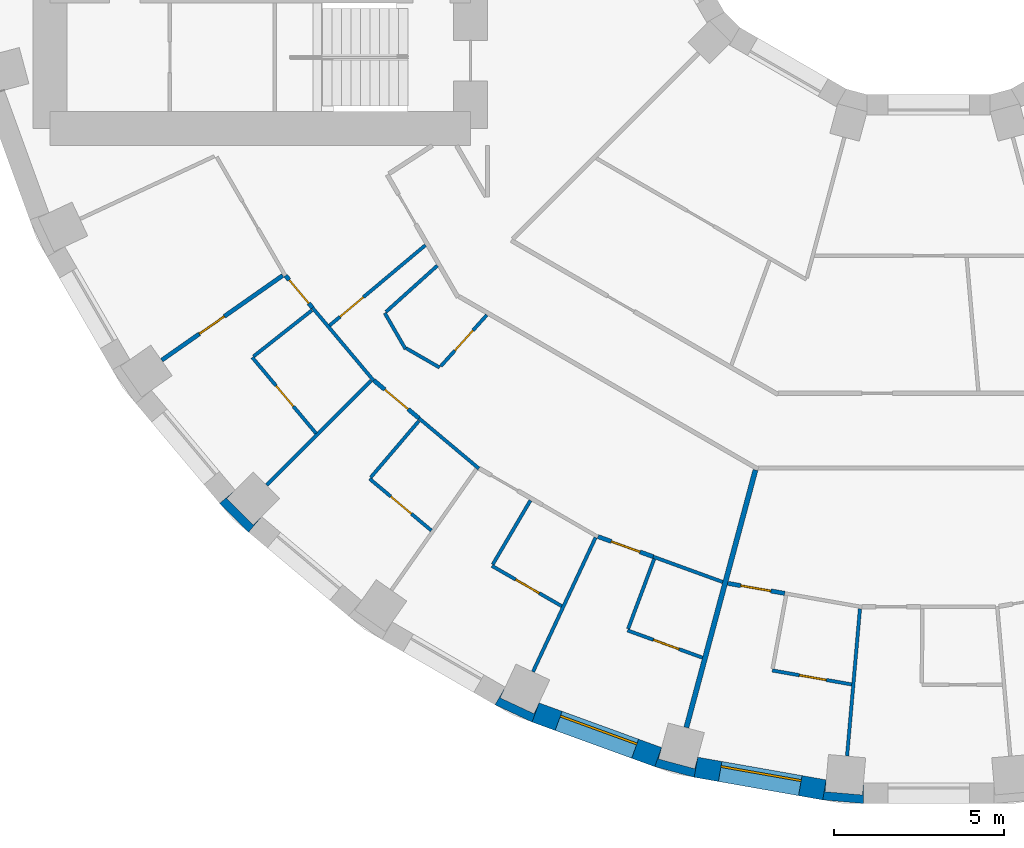
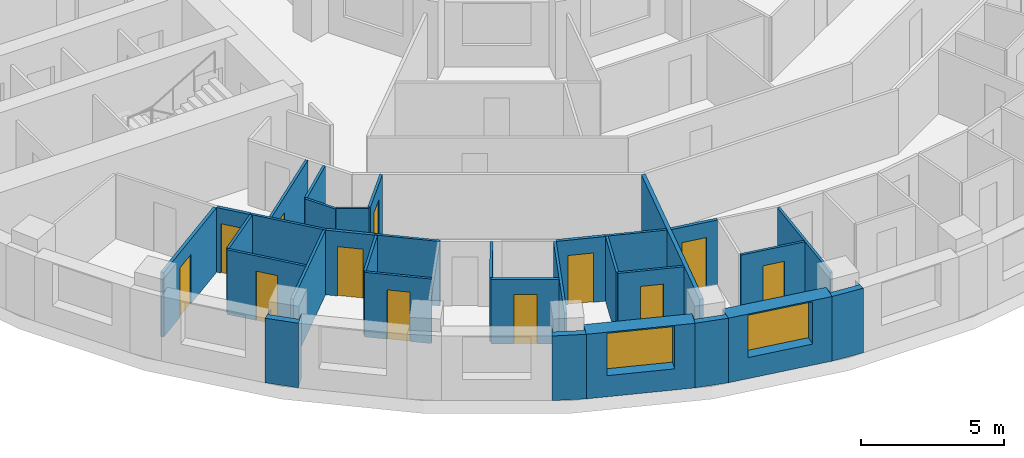
# One storey, part 2 of 14: 32 walls, 12 doors, 2 windows, 14 openings.
"""IFC4 building model written with IfcOpenShell, lengths in metres."""

from ifc_helpers import new_model, si_unit, direction, frame, frame_2d, origin, place, context, subcontext, project, spatial, polyline, rectangle, outline, extrude, material, layer, layer_set, type_object, element, fill, save


model = new_model("IFC4")

# Units and contexts
model_context = context("Model", 3, precision=1e-05, world=origin(), true_north=direction((0.0, 1.0)))
body_context = subcontext(model_context, "Body", "Model", "MODEL_VIEW")
ifc_project = project(units=[si_unit("LENGTHUNIT", "METRE"), si_unit("AREAUNIT", "SQUARE_METRE"), si_unit("VOLUMEUNIT", "CUBIC_METRE"), si_unit("PLANEANGLEUNIT", "RADIAN"), si_unit("MASSUNIT", "GRAM", prefix="KILO")], contexts=[model_context])

# Site, building, storey
site_placement = place(None, origin())
site = spatial("IfcSite", under=ifc_project, at=site_placement, CompositionType="ELEMENT")
building_placement = place(site_placement, origin())
building = spatial("IfcBuilding", under=site, at=building_placement, Name="Saqina Gate Tower", CompositionType="ELEMENT")
storey_placement = place(building_placement, frame((0.0, 0.0, 52.699951171875)))
storey = spatial("IfcBuildingStorey", under=building, at=storey_placement, Name="L14", CompositionType="ELEMENT", Elevation=52.699951171875)

# Walls
ifc_material_1 = material(Name="Brick masonry (red)", Category="masonry")
wall_type_1 = type_object("IfcWallType", Name="BRICK PIER COPING RED", PredefinedType="SOLIDWALL", material=ifc_material_1)
wall_1_placement = place(storey_placement, origin())
element("IfcWall", 1, at=wall_1_placement, inside=storey, type_object=wall_type_1, Name="Pier cap L14 column 23", PredefinedType="SOLIDWALL", context=body_context, shape_type="SweptSolid", body=[
    extrude(outline(polyline([(-20.04296875, -20.894775390625), (-19.6572265625, -20.43505859375), (-19.905029296875, -20.682861328125), (-20.682861328125, -19.905029296875), (-20.43505859375, -19.6572265625), (-20.894775390625, -20.04296875), (-20.04296875, -20.894775390625)])), origin(), (0.0, 0.0, 1.0), 2.75),
])
wall_2_placement = place(storey_placement, origin())
element("IfcWall", 2, at=wall_2_placement, inside=storey, type_object=wall_type_1, Name="Pier cap L14 column 25", PredefinedType="SOLIDWALL", context=body_context, shape_type="SweptSolid", body=[
    extrude(outline(polyline([(-11.687744140625, -26.48974609375), (-11.482666015625, -25.92578125), (-11.630615234375, -26.243408203125), (-12.627685546875, -25.778564453125), (-12.4794921875, -25.4609375), (-12.779541015625, -25.980712890625), (-11.687744140625, -26.48974609375)])), origin(), (0.0, 0.0, 1.0), 2.75),
])
wall_3_placement = place(storey_placement, origin())
element("IfcWall", 3, at=wall_3_placement, inside=storey, type_object=wall_type_1, Name="Pier cap L14 column 26", PredefinedType="SOLIDWALL", context=body_context, shape_type="SweptSolid", body=[
    extrude(outline(polyline([(-6.910400390625, -28.11669921875), (-6.80615234375, -27.52587890625), (-6.896728515625, -27.864501953125), (-7.95947265625, -27.57958984375), (-7.86865234375, -27.2412109375), (-8.073974609375, -27.80517578125), (-6.910400390625, -28.11669921875)])), origin(), (0.0, 0.0, 1.0), 2.75),
])
wall_4_placement = place(storey_placement, origin())
element("IfcWall", 4, at=wall_4_placement, inside=storey, type_object=wall_type_1, Name="Pier cap L14 column 27", PredefinedType="SOLIDWALL", context=body_context, shape_type="SweptSolid", body=[
    extrude(outline(polyline([(-3.122802734375, -28.78466796875), (-1.9228515625, -28.8896484375), (-1.9228515625, -28.28955078125), (-1.95361328125, -28.638671875), (-3.04931640625, -28.54296875), (-3.018798828125, -28.19384765625), (-3.122802734375, -28.78466796875)])), origin(), (0.0, 0.0, 1.0), 2.75),
])

# Wall, opening, window
ifc_material_2 = material(Name="Brick masonry (red)", Category="masonry")
ifc_layer_1 = layer(ifc_material_2, 0.60009765625)
ifc_layer_set_1 = layer_set([ifc_layer_1], Name="FW-BRICK-RED")
wall_type_2 = type_object("IfcWallType", Name="FW-BRICK-RED", PredefinedType="SOLIDWALL", material=ifc_layer_set_1)
wall_5_placement = place(storey_placement, frame((-11.585205078125, -26.207763671875, 0.0), z_axis=(0.0, 0.0, 1.0), x_axis=(0.939689588564, -0.342028474173, 0.0)))
wall_5 = element("IfcWall", 5, at=wall_5_placement, inside=storey, type_object=wall_type_2, Name="Facade wall L14 facet 25", PredefinedType="SOLIDWALL", context=body_context, shape_type="SweptSolid", body=[
    extrude(rectangle(XDim=3.845947265625, YDim=0.60009765625, at=frame_2d((1.9228515625, 0.0))), origin(), (0.0, 0.0, 1.0), 2.75),
])
opening_1_placement = place(wall_5_placement, frame((0.722900390625, 0.0, 0.89990234375)))
opening_1 = element("IfcOpeningElement", 6, at=opening_1_placement, cuts=wall_5, Name="Opening G03-W18", PredefinedType="OPENING", context=body_context, shape_type="SweptSolid", body=[
    extrude(rectangle(XDim=2.39990234375, YDim=1.800048828125, at=frame_2d((1.199951171875, 0.89990234375))), frame((0.0, 0.31201171875, 0.0), z_axis=(0.0, -1.0, 0.0), x_axis=(1.0, 0.0, 0.0)), (0.0, 0.0, 1.0), 0.6240234375),
])
ifc_material_3 = material(Name="Aluminium glazing", Category="aluminium")
window_type = type_object("IfcWindowType", Name="WN-A", PartitioningType="SINGLE_PANEL", PredefinedType="WINDOW", material=ifc_material_3)
window_1_placement = place(opening_1_placement, origin())
window_1 = element("IfcWindow", 7, at=window_1_placement, inside=storey, type_object=window_type, Name="Window L14 facet 25", OverallHeight=1.800048828125, OverallWidth=2.39990234375, PartitioningType="SINGLE_PANEL", PredefinedType="WINDOW", context=body_context, shape_type="SweptSolid", body=[
    extrude(rectangle(XDim=2.39990234375, YDim=1.800048828125, at=frame_2d((1.199951171875, 0.89990234375))), frame((0.0, 0.179931640625, 0.0), z_axis=(0.0, -1.0, 0.0), x_axis=(1.0, 0.0, 0.0)), (0.0, 0.0, 1.0), 0.06005859375),
])
fill(opening_1, window_1)

wall_6_placement = place(storey_placement, frame((-6.858154296875, -27.8212890625, 0.0), z_axis=(0.0, 0.0, 1.0), x_axis=(0.984800809218, -0.173687553279, 0.0)))
wall_6 = element("IfcWall", 8, at=wall_6_placement, inside=storey, type_object=wall_type_2, Name="Facade wall L14 facet 26", PredefinedType="SOLIDWALL", context=body_context, shape_type="SweptSolid", body=[
    extrude(rectangle(XDim=3.845703125, YDim=0.60009765625, at=frame_2d((1.9228515625, 0.0))), origin(), (0.0, 0.0, 1.0), 2.75),
])
opening_2_placement = place(wall_6_placement, frame((0.722900390625, 0.0, 0.89990234375)))
opening_2 = element("IfcOpeningElement", 9, at=opening_2_placement, cuts=wall_6, Name="Opening G03-W19", PredefinedType="OPENING", context=body_context, shape_type="SweptSolid", body=[
    extrude(rectangle(XDim=2.39990234375, YDim=1.800048828125, at=frame_2d((1.199951171875, 0.89990234375))), frame((0.0, 0.31201171875, 0.0), z_axis=(0.0, -1.0, 0.0), x_axis=(1.0, 0.0, 0.0)), (0.0, 0.0, 1.0), 0.6240234375),
])
window_2_placement = place(opening_2_placement, origin())
window_2 = element("IfcWindow", 10, at=window_2_placement, inside=storey, type_object=window_type, Name="Window L14 facet 26", OverallHeight=1.800048828125, OverallWidth=2.39990234375, PartitioningType="SINGLE_PANEL", PredefinedType="WINDOW", context=body_context, shape_type="SweptSolid", body=[
    extrude(rectangle(XDim=2.39990234375, YDim=1.800048828125, at=frame_2d((1.199951171875, 0.89990234375))), frame((0.0, 0.179931640625, 0.0), z_axis=(0.0, -1.0, 0.0), x_axis=(1.0, 0.0, 0.0)), (0.0, 0.0, 1.0), 0.06005859375),
])
fill(opening_2, window_2)

# Wall
ifc_material_4 = material(Name="Gypsum board on steel studs, 100 mm", Category="steel")
ifc_layer_2 = layer(ifc_material_4, 0.10009765625)
ifc_layer_set_2 = layer_set([ifc_layer_2], Name="PARTITION 100")
wall_type_3 = type_object("IfcWallType", Name="PARTITION 100", PredefinedType="PARTITIONING", material=ifc_layer_set_2)
wall_7_placement = place(storey_placement, frame((-16.030029296875, -14.43408203125, 0.0), z_axis=(0.0, 0.0, 1.0), x_axis=(0.499779910804, -0.866152435058, 0.0)))
element("IfcWall", 11, at=wall_7_placement, inside=storey, type_object=wall_type_3, Name="PARTITION PW3-22", PredefinedType="PARTITIONING", context=body_context, shape_type="SweptSolid", body=[
    extrude(rectangle(XDim=1.22607421875, YDim=0.10009765625, at=frame_2d((0.613037109375, 0.0))), origin(), (0.0, 0.0, 1.0), 2.75),
])

# Wall, opening, door
wall_8_placement = place(storey_placement, frame((-19.93408203125, -15.742919921875, 0.0), z_axis=(0.0, 0.0, 1.0), x_axis=(0.642726064959, -0.766096081064, 0.0)))
wall_8 = element("IfcWall", 12, at=wall_8_placement, inside=storey, type_object=wall_type_3, Name="PARTITION PW3-28", PredefinedType="PARTITIONING", context=body_context, shape_type="SweptSolid", body=[
    extrude(rectangle(XDim=2.9248046875, YDim=0.10009765625, at=frame_2d((1.46240234375, 0.0))), origin(), (0.0, 0.0, 1.0), 2.75),
])
opening_3_placement = place(wall_8_placement, frame((1.08740234375, 0.0, 0.0)))
opening_3 = element("IfcOpeningElement", 13, at=opening_3_placement, cuts=wall_8, Name="Opening G03-D44", PredefinedType="OPENING", context=body_context, shape_type="SweptSolid", body=[
    extrude(rectangle(XDim=0.800048828125, YDim=2.10009765625, at=frame_2d((0.39990234375, 1.050048828125))), frame((0.0, 0.06201171875, 0.0), z_axis=(0.0, -1.0, 0.0), x_axis=(1.0, 0.0, 0.0)), (0.0, 0.0, 1.0), 0.1240234375),
])
ifc_material_5 = material(Name="Timber door leaf, 800 mm", Category="wood")
door_type_1 = type_object("IfcDoorType", Name="DOOR 800 TIMBER", OperationType="SINGLE_SWING_LEFT", PredefinedType="DOOR", material=ifc_material_5)
door_1_placement = place(opening_3_placement, frame((0.800048828125, 0.0, 0.0), z_axis=(0.0, 0.0, 1.0), x_axis=(-1.0, 0.0, 0.0)))
door_1 = element("IfcDoor", 14, at=door_1_placement, inside=storey, type_object=door_type_1, Name="DOOR G03-D44", OperationType="SINGLE_SWING_LEFT", OverallHeight=2.10009765625, OverallWidth=0.800048828125, PredefinedType="DOOR", context=body_context, shape_type="SweptSolid", body=[
    extrude(rectangle(XDim=0.800048828125, YDim=2.10009765625, at=frame_2d((0.39990234375, 1.050048828125))), frame((0.0, 0.02490234375, 0.0), z_axis=(0.0, -1.0, 0.0), x_axis=(1.0, 0.0, 0.0)), (0.0, 0.0, 1.0), 0.050048828125),
])
fill(opening_3, door_1)

# Wall
wall_9_placement = place(storey_placement, frame((-18.16015625, -14.27880859375, 0.0), z_axis=(0.0, 0.0, 1.0), x_axis=(0.642859397188, -0.765984200521, 0.0)))
element("IfcWall", 15, at=wall_9_placement, inside=storey, type_object=wall_type_3, Name="PARTITION PW3-29", PredefinedType="PARTITIONING", context=body_context, shape_type="SweptSolid", body=[
    extrude(rectangle(XDim=2.8056640625, YDim=0.10009765625, at=frame_2d((1.40283203125, 0.0))), origin(), (0.0, 0.0, 1.0), 2.75),
])

# Wall, opening, door
wall_10_placement = place(storey_placement, frame((-16.47607421875, -19.319091796875, 0.0), z_axis=(0.0, 0.0, 1.0), x_axis=(0.766109873163, -0.642709625136, 0.0)))
wall_10 = element("IfcWall", 16, at=wall_10_placement, inside=storey, type_object=wall_type_3, Name="PARTITION PW3-38", PredefinedType="PARTITIONING", context=body_context, shape_type="SweptSolid", body=[
    extrude(rectangle(XDim=2.3740234375, YDim=0.10009765625, at=frame_2d((1.18701171875, 0.0))), origin(), (0.0, 0.0, 1.0), 2.75),
])
opening_4_placement = place(wall_10_placement, frame((0.81201171875, 0.0, 0.0)))
opening_4 = element("IfcOpeningElement", 17, at=opening_4_placement, cuts=wall_10, Name="Opening G03-D47", PredefinedType="OPENING", context=body_context, shape_type="SweptSolid", body=[
    extrude(rectangle(XDim=0.800048828125, YDim=2.10009765625, at=frame_2d((0.39990234375, 1.050048828125))), frame((0.0, 0.06201171875, 0.0), z_axis=(0.0, -1.0, 0.0), x_axis=(1.0, 0.0, 0.0)), (0.0, 0.0, 1.0), 0.1240234375),
])
door_2_placement = place(opening_4_placement, frame((0.800048828125, 0.0, 0.0), z_axis=(0.0, 0.0, 1.0), x_axis=(-1.0, 0.0, 0.0)))
door_2 = element("IfcDoor", 18, at=door_2_placement, inside=storey, type_object=door_type_1, Name="DOOR G03-D47", OperationType="SINGLE_SWING_LEFT", OverallHeight=2.10009765625, OverallWidth=0.800048828125, PredefinedType="DOOR", context=body_context, shape_type="SweptSolid", body=[
    extrude(rectangle(XDim=0.800048828125, YDim=2.10009765625, at=frame_2d((0.39990234375, 1.050048828125))), frame((0.0, 0.02490234375, 0.0), z_axis=(0.0, -1.0, 0.0), x_axis=(1.0, 0.0, 0.0)), (0.0, 0.0, 1.0), 0.050048828125),
])
fill(opening_4, door_2)

# Wall
wall_11_placement = place(storey_placement, frame((-15.021240234375, -17.536865234375, 0.0), z_axis=(0.0, 0.0, 1.0), x_axis=(0.766099024104, -0.642722556993, 0.0)))
element("IfcWall", 19, at=wall_11_placement, inside=storey, type_object=wall_type_3, Name="PARTITION PW3-39", PredefinedType="PARTITIONING", context=body_context, shape_type="SweptSolid", body=[
    extrude(rectangle(XDim=2.305419921875, YDim=0.10009765625, at=frame_2d((1.15283203125, 0.0))), origin(), (0.0, 0.0, 1.0), 2.75),
])

# Wall, opening, door
wall_12_placement = place(storey_placement, frame((-12.87109375, -21.885986328125, 0.0), z_axis=(0.0, 0.0, 1.0), x_axis=(0.865944213836, -0.500140598757, 0.0)))
wall_12 = element("IfcWall", 20, at=wall_12_placement, inside=storey, type_object=wall_type_3, Name="PARTITION PW3-44", PredefinedType="PARTITIONING", context=body_context, shape_type="SweptSolid", body=[
    extrude(rectangle(XDim=2.375244140625, YDim=0.10009765625, at=frame_2d((1.1875, 0.0))), origin(), (0.0, 0.0, 1.0), 2.75),
])
opening_5_placement = place(wall_12_placement, frame((0.8125, 0.0, 0.0)))
opening_5 = element("IfcOpeningElement", 21, at=opening_5_placement, cuts=wall_12, Name="Opening G03-D51", PredefinedType="OPENING", context=body_context, shape_type="SweptSolid", body=[
    extrude(rectangle(XDim=0.800048828125, YDim=2.10009765625, at=frame_2d((0.39990234375, 1.050048828125))), frame((0.0, 0.06201171875, 0.0), z_axis=(0.0, -1.0, 0.0), x_axis=(1.0, 0.0, 0.0)), (0.0, 0.0, 1.0), 0.1240234375),
])
door_3_placement = place(opening_5_placement, frame((0.800048828125, 0.0, 0.0), z_axis=(0.0, 0.0, 1.0), x_axis=(-1.0, 0.0, 0.0)))
door_3 = element("IfcDoor", 22, at=door_3_placement, inside=storey, type_object=door_type_1, Name="DOOR G03-D51", OperationType="SINGLE_SWING_LEFT", OverallHeight=2.10009765625, OverallWidth=0.800048828125, PredefinedType="DOOR", context=body_context, shape_type="SweptSolid", body=[
    extrude(rectangle(XDim=0.800048828125, YDim=2.10009765625, at=frame_2d((0.39990234375, 1.050048828125))), frame((0.0, 0.02490234375, 0.0), z_axis=(0.0, -1.0, 0.0), x_axis=(1.0, 0.0, 0.0)), (0.0, 0.0, 1.0), 0.050048828125),
])
fill(opening_5, door_3)

# Wall
wall_13_placement = place(storey_placement, frame((-15.402587890625, -15.470947265625, 0.0), z_axis=(0.0, 0.0, 1.0), x_axis=(0.866117982198, -0.499839615189, 0.0)))
element("IfcWall", 23, at=wall_13_placement, inside=storey, type_object=wall_type_3, Name="PARTITION PW3-46", PredefinedType="PARTITIONING", context=body_context, shape_type="SweptSolid", body=[
    extrude(rectangle(XDim=1.142578125, YDim=0.10009765625, at=frame_2d((0.5712890625, 0.0))), origin(), (0.0, 0.0, 1.0), 2.75),
])

# Wall, opening, door
wall_14_placement = place(storey_placement, frame((-8.875, -23.7890625, 0.0), z_axis=(0.0, 0.0, 1.0), x_axis=(0.939775222713, -0.341793111069, 0.0)))
wall_14 = element("IfcWall", 24, at=wall_14_placement, inside=storey, type_object=wall_type_3, Name="PARTITION PW3-53", PredefinedType="PARTITIONING", context=body_context, shape_type="SweptSolid", body=[
    extrude(rectangle(XDim=2.35009765625, YDim=0.10009765625, at=frame_2d((1.175048828125, 0.0))), origin(), (0.0, 0.0, 1.0), 2.75),
])
opening_6_placement = place(wall_14_placement, frame((0.8125, 0.0, 0.0)))
opening_6 = element("IfcOpeningElement", 25, at=opening_6_placement, cuts=wall_14, Name="Opening G03-D53", PredefinedType="OPENING", context=body_context, shape_type="SweptSolid", body=[
    extrude(rectangle(XDim=0.800048828125, YDim=2.10009765625, at=frame_2d((0.39990234375, 1.050048828125))), frame((0.0, 0.06201171875, 0.0), z_axis=(0.0, -1.0, 0.0), x_axis=(1.0, 0.0, 0.0)), (0.0, 0.0, 1.0), 0.1240234375),
])
door_4_placement = place(opening_6_placement, frame((0.800048828125, 0.0, 0.0), z_axis=(0.0, 0.0, 1.0), x_axis=(-1.0, 0.0, 0.0)))
door_4 = element("IfcDoor", 26, at=door_4_placement, inside=storey, type_object=door_type_1, Name="DOOR G03-D53", OperationType="SINGLE_SWING_LEFT", OverallHeight=2.10009765625, OverallWidth=0.800048828125, PredefinedType="DOOR", context=body_context, shape_type="SweptSolid", body=[
    extrude(rectangle(XDim=0.800048828125, YDim=2.10009765625, at=frame_2d((0.39990234375, 1.050048828125))), frame((0.0, 0.02490234375, 0.0), z_axis=(0.0, -1.0, 0.0), x_axis=(1.0, 0.0, 0.0)), (0.0, 0.0, 1.0), 0.050048828125),
])
fill(opening_6, door_4)

# Wall
wall_15_placement = place(storey_placement, frame((-8.117919921875, -21.616943359375, 0.0), z_axis=(0.0, 0.0, 1.0), x_axis=(0.939718185991, -0.341949895332, 0.0)))
element("IfcWall", 27, at=wall_15_placement, inside=storey, type_object=wall_type_3, Name="PARTITION PW3-54", PredefinedType="PARTITIONING", context=body_context, shape_type="SweptSolid", body=[
    extrude(rectangle(XDim=2.1796875, YDim=0.10009765625, at=frame_2d((1.08984375, 0.0))), origin(), (0.0, 0.0, 1.0), 2.75),
])

# Wall, opening, door
wall_16_placement = place(storey_placement, frame((-4.60888671875, -24.968994140625, 0.0), z_axis=(0.0, 0.0, 1.0), x_axis=(0.984808388541, -0.173644573363, 0.0)))
wall_16 = element("IfcWall", 28, at=wall_16_placement, inside=storey, type_object=wall_type_3, Name="PARTITION PW3-57", PredefinedType="PARTITIONING", context=body_context, shape_type="SweptSolid", body=[
    extrude(rectangle(XDim=2.374755859375, YDim=0.10009765625, at=frame_2d((1.1875, 0.0))), origin(), (0.0, 0.0, 1.0), 2.75),
])
opening_7_placement = place(wall_16_placement, frame((0.8125, 0.0, 0.0)))
opening_7 = element("IfcOpeningElement", 29, at=opening_7_placement, cuts=wall_16, Name="Opening G03-D55", PredefinedType="OPENING", context=body_context, shape_type="SweptSolid", body=[
    extrude(rectangle(XDim=0.800048828125, YDim=2.10009765625, at=frame_2d((0.39990234375, 1.050048828125))), frame((0.0, 0.06201171875, 0.0), z_axis=(0.0, -1.0, 0.0), x_axis=(1.0, 0.0, 0.0)), (0.0, 0.0, 1.0), 0.1240234375),
])
door_5_placement = place(opening_7_placement, frame((0.800048828125, 0.0, 0.0), z_axis=(0.0, 0.0, 1.0), x_axis=(-1.0, 0.0, 0.0)))
door_5 = element("IfcDoor", 30, at=door_5_placement, inside=storey, type_object=door_type_1, Name="DOOR G03-D55", OperationType="SINGLE_SWING_LEFT", OverallHeight=2.10009765625, OverallWidth=0.800048828125, PredefinedType="DOOR", context=body_context, shape_type="SweptSolid", body=[
    extrude(rectangle(XDim=0.800048828125, YDim=2.10009765625, at=frame_2d((0.39990234375, 1.050048828125))), frame((0.0, 0.02490234375, 0.0), z_axis=(0.0, -1.0, 0.0), x_axis=(1.0, 0.0, 0.0)), (0.0, 0.0, 1.0), 0.050048828125),
])
fill(opening_7, door_5)

# Wall
wall_17_placement = place(storey_placement, frame((-19.894775390625, -15.7119140625, 0.0), z_axis=(0.0, 0.0, 1.0), x_axis=(0.784868488399, 0.619662372521, 0.0)))
element("IfcWall", 31, at=wall_17_placement, inside=storey, type_object=wall_type_3, Name="PARTITION PW3-90", PredefinedType="PARTITIONING", context=body_context, shape_type="SweptSolid", body=[
    extrude(rectangle(XDim=2.188720703125, YDim=0.10009765625, at=frame_2d((1.09423828125, 0.0))), origin(), (0.0, 0.0, 1.0), 2.75),
])

# Wall, opening, door
wall_18_placement = place(storey_placement, frame((-17.65478515625, -14.802978515625, 0.0), z_axis=(0.0, 0.0, 1.0), x_axis=(0.766273613589, 0.642514396039, 0.0)))
wall_18 = element("IfcWall", 32, at=wall_18_placement, inside=storey, type_object=wall_type_3, Name="PARTITION PW3-94", PredefinedType="PARTITIONING", context=body_context, shape_type="SweptSolid", body=[
    extrude(rectangle(XDim=3.68505859375, YDim=0.10009765625, at=frame_2d((1.842529296875, 0.0))), origin(), (0.0, 0.0, 1.0), 2.75),
])
opening_8_placement = place(wall_18_placement, frame((0.398681640625, 0.0, 0.0)))
opening_8 = element("IfcOpeningElement", 33, at=opening_8_placement, cuts=wall_18, Name="Opening G03-D43", PredefinedType="OPENING", context=body_context, shape_type="SweptSolid", body=[
    extrude(rectangle(XDim=0.89990234375, YDim=2.10009765625, at=frame_2d((0.449951171875, 1.050048828125))), frame((0.0, 0.06201171875, 0.0), z_axis=(0.0, -1.0, 0.0), x_axis=(1.0, 0.0, 0.0)), (0.0, 0.0, 1.0), 0.1240234375),
])
ifc_material_6 = material(Name="Timber door leaf, 900 mm", Category="wood")
door_type_2 = type_object("IfcDoorType", Name="DOOR 900 TIMBER", OperationType="SINGLE_SWING_LEFT", PredefinedType="DOOR", material=ifc_material_6)
door_6_placement = place(opening_8_placement, frame((0.89990234375, 0.0, 0.0), z_axis=(0.0, 0.0, 1.0), x_axis=(-1.0, 0.0, 0.0)))
door_6 = element("IfcDoor", 34, at=door_6_placement, inside=storey, type_object=door_type_2, Name="DOOR G03-D43", OperationType="SINGLE_SWING_RIGHT", OverallHeight=2.10009765625, OverallWidth=0.89990234375, PredefinedType="DOOR", context=body_context, shape_type="SweptSolid", body=[
    extrude(rectangle(XDim=0.89990234375, YDim=2.10009765625, at=frame_2d((0.449951171875, 1.050048828125))), frame((0.0, 0.02490234375, 0.0), z_axis=(0.0, -1.0, 0.0), x_axis=(1.0, 0.0, 0.0)), (0.0, 0.0, 1.0), 0.050048828125),
])
fill(opening_8, door_6)

# Walls
wall_19_placement = place(storey_placement, frame((-15.992919921875, -14.400634765625, 0.0), z_axis=(0.0, 0.0, 1.0), x_axis=(0.74316878737, 0.669103993022, 0.0)))
element("IfcWall", 35, at=wall_19_placement, inside=storey, type_object=wall_type_3, Name="PARTITION PW3-97", PredefinedType="PARTITIONING", context=body_context, shape_type="SweptSolid", body=[
    extrude(rectangle(XDim=2.033935546875, YDim=0.10009765625, at=frame_2d((1.01708984375, 0.0))), origin(), (0.0, 0.0, 1.0), 2.75),
])
wall_20_placement = place(storey_placement, frame((-19.509033203125, -19.509033203125, 0.0), z_axis=(0.0, 0.0, 1.0), x_axis=(0.707106781187, 0.707106781187, 0.0)))
element("IfcWall", 36, at=wall_20_placement, inside=storey, type_object=wall_type_3, Name="PARTITION PW3-98", PredefinedType="PARTITIONING", context=body_context, shape_type="SweptSolid", body=[
    extrude(rectangle(XDim=4.35009765625, YDim=0.10009765625, at=frame_2d((2.175048828125, 0.0))), origin(), (0.0, 0.0, 1.0), 2.75),
])

# Wall, opening, door
wall_21_placement = place(storey_placement, frame((-14.379638671875, -16.0048828125, 0.0), z_axis=(0.0, 0.0, 1.0), x_axis=(0.668334266264, 0.743861081478, 0.0)))
wall_21 = element("IfcWall", 37, at=wall_21_placement, inside=storey, type_object=wall_type_3, Name="PARTITION PW3-99", PredefinedType="PARTITIONING", context=body_context, shape_type="SweptSolid", body=[
    extrude(rectangle(XDim=2.033203125, YDim=0.10009765625, at=frame_2d((1.0166015625, 0.0))), origin(), (0.0, 0.0, 1.0), 2.75),
])
opening_9_placement = place(wall_21_placement, frame((0.622802734375, 0.0, 0.0)))
opening_9 = element("IfcOpeningElement", 38, at=opening_9_placement, cuts=wall_21, Name="Opening G03-D46", PredefinedType="OPENING", context=body_context, shape_type="SweptSolid", body=[
    extrude(rectangle(XDim=0.800048828125, YDim=2.10009765625, at=frame_2d((0.39990234375, 1.050048828125))), frame((0.0, 0.06201171875, 0.0), z_axis=(0.0, -1.0, 0.0), x_axis=(1.0, 0.0, 0.0)), (0.0, 0.0, 1.0), 0.1240234375),
])
door_7_placement = place(opening_9_placement, frame((0.800048828125, 0.0, 0.0), z_axis=(0.0, 0.0, 1.0), x_axis=(-1.0, 0.0, 0.0)))
door_7 = element("IfcDoor", 39, at=door_7_placement, inside=storey, type_object=door_type_1, Name="DOOR G03-D46", OperationType="SINGLE_SWING_LEFT", OverallHeight=2.10009765625, OverallWidth=0.800048828125, PredefinedType="DOOR", context=body_context, shape_type="SweptSolid", body=[
    extrude(rectangle(XDim=0.800048828125, YDim=2.10009765625, at=frame_2d((0.39990234375, 1.050048828125))), frame((0.0, 0.02490234375, 0.0), z_axis=(0.0, -1.0, 0.0), x_axis=(1.0, 0.0, 0.0)), (0.0, 0.0, 1.0), 0.050048828125),
])
fill(opening_9, door_7)

# Walls
wall_22_placement = place(storey_placement, frame((-16.443603515625, -19.281005859375, 0.0), z_axis=(0.0, 0.0, 1.0), x_axis=(0.648988401233, 0.760798301171, 0.0)))
element("IfcWall", 40, at=wall_22_placement, inside=storey, type_object=wall_type_3, Name="PARTITION PW3-100", PredefinedType="PARTITIONING", context=body_context, shape_type="SweptSolid", body=[
    extrude(rectangle(XDim=2.18798828125, YDim=0.10009765625, at=frame_2d((1.093994140625, 0.0))), origin(), (0.0, 0.0, 1.0), 2.75),
])
wall_23_placement = place(storey_placement, frame((-12.845703125, -21.843017578125, 0.0), z_axis=(0.0, 0.0, 1.0), x_axis=(0.507073781844, 0.86190265098, 0.0)))
element("IfcWall", 41, at=wall_23_placement, inside=storey, type_object=wall_type_3, Name="PARTITION PW3-107", PredefinedType="PARTITIONING", context=body_context, shape_type="SweptSolid", body=[
    extrude(rectangle(XDim=2.187255859375, YDim=0.10009765625, at=frame_2d((1.09375, 0.0))), origin(), (0.0, 0.0, 1.0), 2.75),
])
wall_24_placement = place(storey_placement, frame((-11.659912109375, -25.005126953125, 0.0), z_axis=(0.0, 0.0, 1.0), x_axis=(0.422625040743, 0.906304625905, 0.0)))
element("IfcWall", 42, at=wall_24_placement, inside=storey, type_object=wall_type_3, Name="PARTITION PW3-112", PredefinedType="PARTITIONING", context=body_context, shape_type="SweptSolid", body=[
    extrude(rectangle(XDim=4.362548828125, YDim=0.10009765625, at=frame_2d((2.18115234375, 0.0))), origin(), (0.0, 0.0, 1.0), 2.75),
])
wall_25_placement = place(storey_placement, frame((-8.857421875, -23.7421875, 0.0), z_axis=(0.0, 0.0, 1.0), x_axis=(0.349554173345, 0.936916154144, 0.0)))
element("IfcWall", 43, at=wall_25_placement, inside=storey, type_object=wall_type_3, Name="PARTITION PW3-114", PredefinedType="PARTITIONING", context=body_context, shape_type="SweptSolid", body=[
    extrude(rectangle(XDim=2.199951171875, YDim=0.10009765625, at=frame_2d((1.10009765625, 0.0))), origin(), (0.0, 0.0, 1.0), 2.75),
])
wall_26_placement = place(storey_placement, frame((-2.404296875, -27.485107421875, 0.0), z_axis=(0.0, 0.0, 1.0), x_axis=(0.087174609927, 0.996193047247, 0.0)))
element("IfcWall", 44, at=wall_26_placement, inside=storey, type_object=wall_type_3, Name="PARTITION PW3-126", PredefinedType="PARTITIONING", context=body_context, shape_type="SweptSolid", body=[
    extrude(rectangle(XDim=4.349365234375, YDim=0.10009765625, at=frame_2d((2.1748046875, 0.0))), origin(), (0.0, 0.0, 1.0), 2.75),
])

# Wall, opening, door
ifc_material_7 = material(Name="Gypsum board on steel studs, 125 mm, fire rated", Category="steel")
ifc_layer_3 = layer(ifc_material_7, 0.125)
ifc_layer_set_3 = layer_set([ifc_layer_3], Name="PARTITION EI 30 125")
wall_type_4 = type_object("IfcWallType", Name="PARTITION EI 30 125", PredefinedType="PARTITIONING", material=ifc_layer_set_3)
wall_27_placement = place(storey_placement, frame((-18.953857421875, -13.332275390625, 0.0), z_axis=(0.0, 0.0, 1.0), x_axis=(0.642533660644, -0.766257459956, 0.0)))
wall_27 = element("IfcWall", 45, at=wall_27_placement, inside=storey, type_object=wall_type_4, Name="PARTITION PW1-05", PredefinedType="PARTITIONING", context=body_context, shape_type="SweptSolid", body=[
    extrude(rectangle(XDim=1.2353515625, YDim=0.125, at=frame_2d((0.61767578125, 0.0))), origin(), (0.0, 0.0, 1.0), 2.75),
])
opening_10_placement = place(wall_27_placement, frame((0.16748046875, 0.0, 0.0)))
opening_10 = element("IfcOpeningElement", 46, at=opening_10_placement, cuts=wall_27, Name="Opening G03-D42", PredefinedType="OPENING", context=body_context, shape_type="SweptSolid", body=[
    extrude(rectangle(XDim=0.89990234375, YDim=2.10009765625, at=frame_2d((0.449951171875, 1.050048828125))), frame((0.0, 0.074462890625, 0.0), z_axis=(0.0, -1.0, 0.0), x_axis=(1.0, 0.0, 0.0)), (0.0, 0.0, 1.0), 0.14892578125),
])
ifc_material_8 = material(Name="Fire door leaf EI 30, 900 mm")
door_type_3 = type_object("IfcDoorType", Name="DOOR 900 EI 30", OperationType="SINGLE_SWING_LEFT", PredefinedType="DOOR", material=ifc_material_8)
door_8_placement = place(opening_10_placement, origin())
door_8 = element("IfcDoor", 47, at=door_8_placement, inside=storey, type_object=door_type_3, Name="DOOR G03-D42", OperationType="SINGLE_SWING_LEFT", OverallHeight=2.10009765625, OverallWidth=0.89990234375, PredefinedType="DOOR", context=body_context, shape_type="SweptSolid", body=[
    extrude(rectangle(XDim=0.89990234375, YDim=2.10009765625, at=frame_2d((0.449951171875, 1.050048828125))), frame((0.0, 0.02490234375, 0.0), z_axis=(0.0, -1.0, 0.0), x_axis=(1.0, 0.0, 0.0)), (0.0, 0.0, 1.0), 0.050048828125),
])
fill(opening_10, door_8)

wall_28_placement = place(storey_placement, frame((-16.3505859375, -16.421142578125, 0.0), z_axis=(0.0, 0.0, 1.0), x_axis=(0.765968068891, -0.642878617967, 0.0)))
wall_28 = element("IfcWall", 48, at=wall_28_placement, inside=storey, type_object=wall_type_4, Name="PARTITION PW1-08", PredefinedType="PARTITIONING", context=body_context, shape_type="SweptSolid", body=[
    extrude(rectangle(XDim=1.735595703125, YDim=0.125, at=frame_2d((0.86767578125, 0.0))), origin(), (0.0, 0.0, 1.0), 2.75),
])
opening_11_placement = place(wall_28_placement, frame((0.417724609375, 0.0, 0.0)))
opening_11 = element("IfcOpeningElement", 49, at=opening_11_placement, cuts=wall_28, Name="Opening G03-D45", PredefinedType="OPENING", context=body_context, shape_type="SweptSolid", body=[
    extrude(rectangle(XDim=0.89990234375, YDim=2.10009765625, at=frame_2d((0.449951171875, 1.050048828125))), frame((0.0, 0.074462890625, 0.0), z_axis=(0.0, -1.0, 0.0), x_axis=(1.0, 0.0, 0.0)), (0.0, 0.0, 1.0), 0.14892578125),
])
door_9_placement = place(opening_11_placement, origin())
door_9 = element("IfcDoor", 50, at=door_9_placement, inside=storey, type_object=door_type_3, Name="DOOR G03-D45", OperationType="SINGLE_SWING_LEFT", OverallHeight=2.10009765625, OverallWidth=0.89990234375, PredefinedType="DOOR", context=body_context, shape_type="SweptSolid", body=[
    extrude(rectangle(XDim=0.89990234375, YDim=2.10009765625, at=frame_2d((0.449951171875, 1.050048828125))), frame((0.0, 0.02490234375, 0.0), z_axis=(0.0, -1.0, 0.0), x_axis=(1.0, 0.0, 0.0)), (0.0, 0.0, 1.0), 0.050048828125),
])
fill(opening_11, door_9)

wall_29_placement = place(storey_placement, frame((-9.748046875, -21.023193359375, 0.0), z_axis=(0.0, 0.0, 1.0), x_axis=(0.939612508188, -0.342240170722, 0.0)))
wall_29 = element("IfcWall", 51, at=wall_29_placement, inside=storey, type_object=wall_type_4, Name="PARTITION PW1-21", PredefinedType="PARTITIONING", context=body_context, shape_type="SweptSolid", body=[
    extrude(rectangle(XDim=1.73486328125, YDim=0.125, at=frame_2d((0.867431640625, 0.0))), origin(), (0.0, 0.0, 1.0), 2.75),
])
opening_12_placement = place(wall_29_placement, frame((0.41748046875, 0.0, 0.0)))
opening_12 = element("IfcOpeningElement", 52, at=opening_12_placement, cuts=wall_29, Name="Opening G03-D52", PredefinedType="OPENING", context=body_context, shape_type="SweptSolid", body=[
    extrude(rectangle(XDim=0.89990234375, YDim=2.10009765625, at=frame_2d((0.449951171875, 1.050048828125))), frame((0.0, 0.074462890625, 0.0), z_axis=(0.0, -1.0, 0.0), x_axis=(1.0, 0.0, 0.0)), (0.0, 0.0, 1.0), 0.14892578125),
])
door_10_placement = place(opening_12_placement, origin())
door_10 = element("IfcDoor", 53, at=door_10_placement, inside=storey, type_object=door_type_3, Name="DOOR G03-D52", OperationType="SINGLE_SWING_LEFT", OverallHeight=2.10009765625, OverallWidth=0.89990234375, PredefinedType="DOOR", context=body_context, shape_type="SweptSolid", body=[
    extrude(rectangle(XDim=0.89990234375, YDim=2.10009765625, at=frame_2d((0.449951171875, 1.050048828125))), frame((0.0, 0.02490234375, 0.0), z_axis=(0.0, -1.0, 0.0), x_axis=(1.0, 0.0, 0.0)), (0.0, 0.0, 1.0), 0.050048828125),
])
fill(opening_12, door_10)

wall_30_placement = place(storey_placement, frame((-5.925048828125, -22.401123046875, 0.0), z_axis=(0.0, 0.0, 1.0), x_axis=(0.984786433544, -0.173769043008, 0.0)))
wall_30 = element("IfcWall", 54, at=wall_30_placement, inside=storey, type_object=wall_type_4, Name="PARTITION PW1-22", PredefinedType="PARTITIONING", context=body_context, shape_type="SweptSolid", body=[
    extrude(rectangle(XDim=1.7099609375, YDim=0.125, at=frame_2d((0.85498046875, 0.0))), origin(), (0.0, 0.0, 1.0), 2.75),
])
opening_13_placement = place(wall_30_placement, frame((0.392578125, 0.0, 0.0)))
opening_13 = element("IfcOpeningElement", 55, at=opening_13_placement, cuts=wall_30, Name="Opening G03-D54", PredefinedType="OPENING", context=body_context, shape_type="SweptSolid", body=[
    extrude(rectangle(XDim=0.89990234375, YDim=2.10009765625, at=frame_2d((0.449951171875, 1.050048828125))), frame((0.0, 0.074462890625, 0.0), z_axis=(0.0, -1.0, 0.0), x_axis=(1.0, 0.0, 0.0)), (0.0, 0.0, 1.0), 0.14892578125),
])
door_11_placement = place(opening_13_placement, origin())
door_11 = element("IfcDoor", 56, at=door_11_placement, inside=storey, type_object=door_type_3, Name="DOOR G03-D54", OperationType="SINGLE_SWING_LEFT", OverallHeight=2.10009765625, OverallWidth=0.89990234375, PredefinedType="DOOR", context=body_context, shape_type="SweptSolid", body=[
    extrude(rectangle(XDim=0.89990234375, YDim=2.10009765625, at=frame_2d((0.449951171875, 1.050048828125))), frame((0.0, 0.02490234375, 0.0), z_axis=(0.0, -1.0, 0.0), x_axis=(1.0, 0.0, 0.0)), (0.0, 0.0, 1.0), 0.050048828125),
])
fill(opening_13, door_11)

wall_31_placement = place(storey_placement, frame((-22.6005859375, -15.824951171875, 0.0), z_axis=(0.0, 0.0, 1.0), x_axis=(0.819158088694, 0.57356780395, 0.0)))
wall_31 = element("IfcWall", 57, at=wall_31_placement, inside=storey, type_object=wall_type_4, Name="PARTITION PW1-44", PredefinedType="PARTITIONING", context=body_context, shape_type="SweptSolid", body=[
    extrude(rectangle(XDim=4.35009765625, YDim=0.125, at=frame_2d((2.175048828125, 0.0))), origin(), (0.0, 0.0, 1.0), 2.75),
])
opening_14_placement = place(wall_31_placement, frame((1.3525390625, 0.0, 0.0)))
opening_14 = element("IfcOpeningElement", 58, at=opening_14_placement, cuts=wall_31, Name="Opening G03-D40", PredefinedType="OPENING", context=body_context, shape_type="SweptSolid", body=[
    extrude(rectangle(XDim=0.89990234375, YDim=2.10009765625, at=frame_2d((0.449951171875, 1.050048828125))), frame((0.0, 0.074462890625, 0.0), z_axis=(0.0, -1.0, 0.0), x_axis=(1.0, 0.0, 0.0)), (0.0, 0.0, 1.0), 0.14892578125),
])
door_12_placement = place(opening_14_placement, origin())
door_12 = element("IfcDoor", 59, at=door_12_placement, inside=storey, type_object=door_type_3, Name="DOOR G03-D40", OperationType="SINGLE_SWING_LEFT", OverallHeight=2.10009765625, OverallWidth=0.89990234375, PredefinedType="DOOR", context=body_context, shape_type="SweptSolid", body=[
    extrude(rectangle(XDim=0.89990234375, YDim=2.10009765625, at=frame_2d((0.449951171875, 1.050048828125))), frame((0.0, 0.02490234375, 0.0), z_axis=(0.0, -1.0, 0.0), x_axis=(1.0, 0.0, 0.0)), (0.0, 0.0, 1.0), 0.050048828125),
])
fill(opening_14, door_12)

# Wall
ifc_material_9 = material(Name="Gypsum board on steel studs, 150 mm, fire rated", Category="steel")
ifc_layer_4 = layer(ifc_material_9, 0.14990234375)
ifc_layer_set_4 = layer_set([ifc_layer_4], Name="PARTITION EI 60 150")
wall_type_5 = type_object("IfcWallType", Name="PARTITION EI 60 150", PredefinedType="PARTITIONING", material=ifc_layer_set_4)
wall_32_placement = place(storey_placement, frame((-7.140625, -26.64990234375, 0.0), z_axis=(0.0, 0.0, 1.0), x_axis=(0.259110891803, 0.965847578943, 0.0)))
element("IfcWall", 60, at=wall_32_placement, inside=storey, type_object=wall_type_5, Name="PARTITION PW2-03", PredefinedType="PARTITIONING", context=body_context, shape_type="SweptSolid", body=[
    extrude(rectangle(XDim=7.857177734375, YDim=0.14990234375, at=frame_2d((3.9287109375, 0.0))), origin(), (0.0, 0.0, 1.0), 2.75),
])

save(model, "model.ifc")
